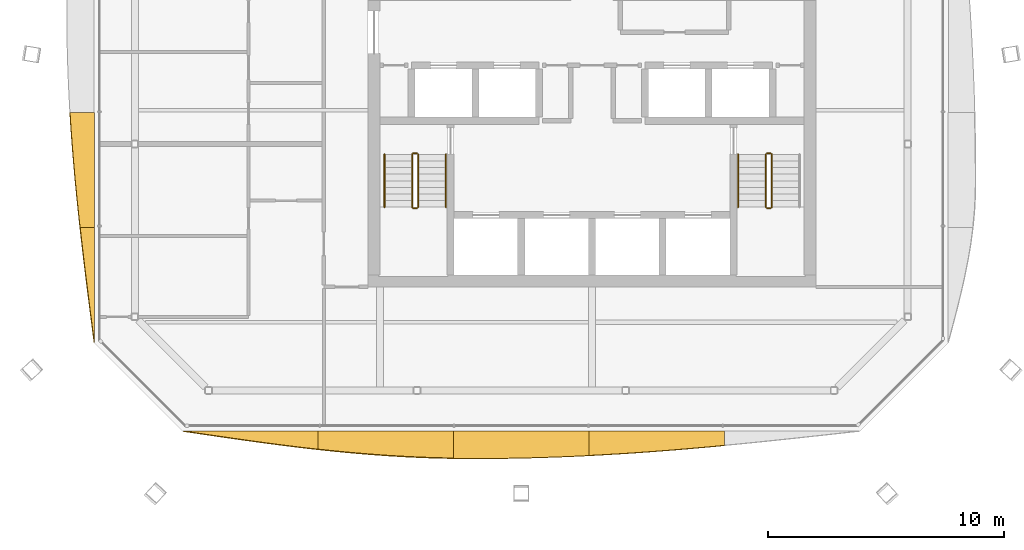
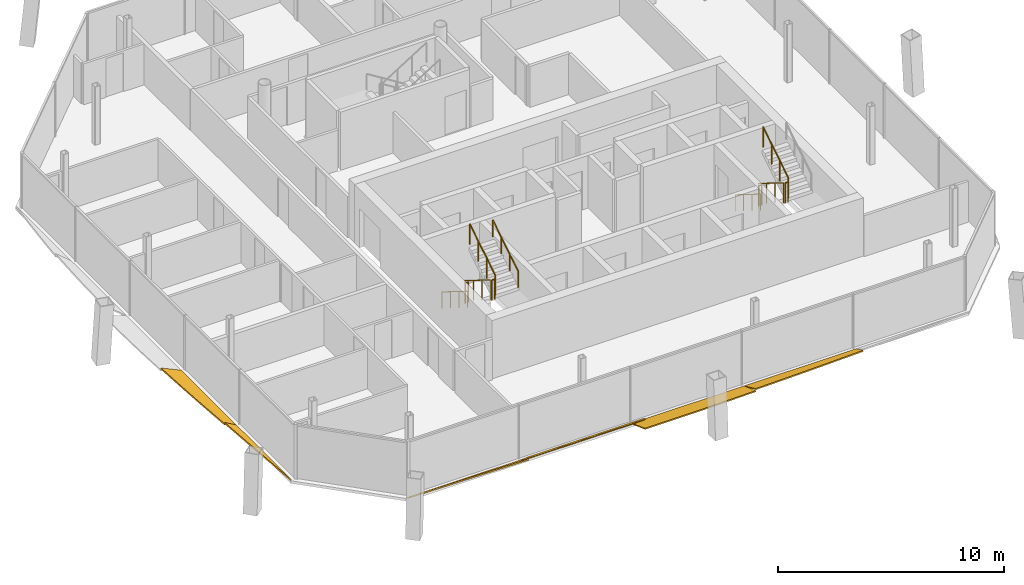
# One storey, part 13 of 15: 11 railings, 6 shading devices.
"""IFC4 building model written with IfcOpenShell, lengths in metres."""

from ifc_helpers import new_model, si_unit, direction, frame, origin, origin_2d, place, context, subcontext, project, spatial, polyline, circle, outline, extrude, material, layer, layer_set, type_object, element, save


model = new_model("IFC4")

# Units and contexts
model_context = context("Model", 3, precision=1e-05, world=origin(), true_north=direction((0.0, 1.0)))
body_context = subcontext(model_context, "Body", "Model", "MODEL_VIEW")
ifc_project = project(units=[si_unit("LENGTHUNIT", "METRE"), si_unit("AREAUNIT", "SQUARE_METRE"), si_unit("VOLUMEUNIT", "CUBIC_METRE"), si_unit("PLANEANGLEUNIT", "RADIAN"), si_unit("MASSUNIT", "GRAM", prefix="KILO")], contexts=[model_context])

# Site, building, storey
site_placement = place(None, origin())
site = spatial("IfcSite", under=ifc_project, at=site_placement, CompositionType="ELEMENT")
building_placement = place(site_placement, origin())
building = spatial("IfcBuilding", under=site, at=building_placement, Name="Tskaro Facet Tower", CompositionType="ELEMENT")
storey_placement = place(building_placement, frame((0.0, 0.0, 239.25)))
storey = spatial("IfcBuildingStorey", under=building, at=storey_placement, Name="L62", CompositionType="ELEMENT", Elevation=239.25)

# Shading devices
ifc_material_1 = material(Name="Bronze anodised aluminium 6063-T6", Category="aluminium")
ifc_layer = layer(ifc_material_1, 0.06005859375, Name="Bronze anodised aluminium 6063-T6")
ifc_layer_set = layer_set([ifc_layer], Name="Bronze anodised aluminium 6063-T6")
shading_device_type = type_object("IfcShadingDeviceType", Name="Bronze sun blade (FN1)", PredefinedType="USERDEFINED", material=ifc_layer_set)
shading_device_1_placement = place(storey_placement, frame((-17.35693359375, -18.1044921875, 0.049072265625), z_axis=(-7.330527e-06, 0.573565372126, 0.819159791398), x_axis=(0.999999999973, 4.204536e-06, 6.004873e-06)))
element("IfcShadingDevice", 1, at=shading_device_1_placement, inside=storey, type_object=shading_device_type, Name="Fin blade south 1", ObjectType="FIN", PredefinedType="USERDEFINED", context=body_context, shape_type="SweptSolid", body=[
    extrude(outline(polyline([(0.0, 0.0), (5.742675781095704, 0.0), (5.742675781393182, -0.9495770118929701), (5.0249023438584555, -0.8491330964793654), (4.307128906037114, -0.7415088963195453), (3.589111328622774, -0.6277244737891654), (2.87133789022546, -0.5087198202304679), (2.1535644525652846, -0.3853150078356561), (1.4355468753093612, -0.2587300891638384), (0.7177734370677177, -0.12990505555725673), (0.0, 0.0)])), origin(), (0.0, 0.0, -1.0), 0.06005859375),
])
shading_device_2_placement = place(storey_placement, frame((-11.6142578125, -18.100341796875, 0.0458984375), z_axis=(3.851837e-06, 0.64277595076, 0.766054225959), x_axis=(0.999999999993, -2.475868e-06, -2.950716e-06)))
element("IfcShadingDevice", 2, at=shading_device_2_placement, inside=storey, type_object=shading_device_type, Name="Fin blade south 2", ObjectType="FIN", PredefinedType="USERDEFINED", context=body_context, shape_type="SweptSolid", body=[
    extrude(outline(polyline([(0.0, 0.0), (5.742919921832398, 1.2161105968178044e-21), (5.742919921701707, -1.5074741790523976), (5.024902343797633, -1.4870304847645457), (4.307128906113016, -1.4539271773385525), (3.5893554692317786, -1.4085383066894397), (2.871337890367751, -1.3513346559842712), (2.153564453304701, -1.2827203723732254), (1.4357910151405315, -1.2035101917032316), (0.7180175784090119, -1.1141082611244684), (-3.9641458014169853e-10, -1.0151422915263542), (0.0, 0.0)])), origin(), (0.0, 0.0, -1.0), 0.06005859375),
])
shading_device_3_placement = place(storey_placement, frame((-5.871337890625, -18.118408203125, 0.056396484375), z_axis=(-2.582642e-06, 0.341947096312, 0.939719204506), x_axis=(0.999999999997, 8.83127e-07, 2.426958e-06)))
element("IfcShadingDevice", 3, at=shading_device_3_placement, inside=storey, type_object=shading_device_type, Name="Fin blade south 3", ObjectType="FIN", PredefinedType="USERDEFINED", context=body_context, shape_type="SweptSolid", body=[
    extrude(outline(polyline([(0.0, 0.0), (5.742675781230848, 0.0), (5.742675781206472, -1.100256666629426), (5.024902343581034, -1.1360912870000066), (4.307128906120104, -1.1667530524476448), (3.589111328414293, -1.1920125393384273), (2.871337890744165, -1.2114733576828192), (2.1535644530772426, -1.225218990658631), (1.4355468747885254, -1.2332494382658634), (0.8039550785608509, -1.2354187600484134), (0.7177734373436193, -1.2353352768706025), (-9.647995621702294e-11, -1.228848337422472), (0.0, 0.0)])), origin(), (0.0, 0.0, -1.0), 0.06005859375),
])
shading_device_4_placement = place(storey_placement, frame((-0.128662109375, -18.113525390625, 0.054443359375), z_axis=(1.258481e-06, 0.422520787899, 0.906353233453), x_axis=(0.999999999999, -5.31734e-07, -1.140628e-06)))
element("IfcShadingDevice", 4, at=shading_device_4_placement, inside=storey, type_object=shading_device_type, Name="Fin blade south 4", ObjectType="FIN", PredefinedType="USERDEFINED", context=body_context, shape_type="SweptSolid", body=[
    extrude(outline(polyline([(0.0, 0.0), (5.742919921870452, 0.0), (5.742919922014373, -0.6687821362954994), (5.024902343834269, -0.74207027583719), (4.30712890626237, -0.8118628790599594), (3.58935546867368, -0.8781599459638075), (2.8715820311058757, -0.939870056990723), (2.1535644531935914, -0.9974357674304782), (1.4357910155188995, -1.050296398837648), (0.7180175781624033, -1.0979212100996456), (7.197365964849071e-11, -1.1407377878398244), (0.0, 0.0)])), origin(), (0.0, 0.0, -1.0), 0.06005859375),
])
shading_device_5_placement = place(storey_placement, frame((-21.113525390625, -4.593505859375, 0.054443359375), z_axis=(0.422511074844, -2.5750142e-05, 0.906357761025), x_axis=(-1.087972e-05, -0.999999999668, -2.3338841e-05)))
element("IfcShadingDevice", 5, at=shading_device_5_placement, inside=storey, type_object=shading_device_type, Name="Fin blade west 4", ObjectType="FIN", PredefinedType="USERDEFINED", context=body_context, shape_type="SweptSolid", body=[
    extrude(outline(polyline([(0.0, 0.0), (4.881591795256582, 0.0), (4.881591799602233, -0.6625580529281263), (4.184326172431228, -0.745565813007741), (3.48681640506389, -0.8239866173885243), (2.789550778750056, -0.8978204660704758), (2.0920410130110807, -0.9659759398164691), (1.3947753921385786, -1.028128607758264), (0.6972656234867937, -1.0844847741316928), (-2.569103481321421e-09, -1.1340711463320363), (0.0, 0.0)])), origin(), (0.0, 0.0, -1.0), 0.06005859375),
])
shading_device_6_placement = place(storey_placement, frame((-21.10888671875, -9.47509765625, 0.052001953125), z_axis=(0.499855590709, -1.1820922e-05, 0.866108762395), x_axis=(-5.908754e-06, -0.99999999993, -1.0238204e-05)))
element("IfcShadingDevice", 6, at=shading_device_6_placement, inside=storey, type_object=shading_device_type, Name="Fin blade west 5", ObjectType="FIN", PredefinedType="USERDEFINED", context=body_context, shape_type="SweptSolid", body=[
    extrude(outline(polyline([(0.0, 0.0), (4.88183593715892, 0.0), (4.184570312108205, -0.10401937846057185), (3.487060548546496, -0.2073717821393081), (2.7897949208964965, -0.30954488908879113), (2.0922851564639213, -0.40983910674910135), (1.3950195307284674, -0.5074086257819033), (0.6975097649397314, -0.6021314111308631), (-6.628762819250276e-10, -0.693462523070479), (0.0, 0.0)])), origin(), (0.0, 0.0, -1.0), 0.06005859375),
])

# Railings
ifc_material_2 = material(Name="Stainless steel", Category="steel")
railing_type_1 = type_object("IfcRailingType", Name="RL-GUARD-1100", PredefinedType="GUARDRAIL", material=ifc_material_2)
railing_1_placement = place(storey_placement, frame((-7.625, -6.375, 0.175048828125)))
element("IfcRailing", 7, at=railing_1_placement, inside=storey, type_object=railing_type_1, Name="L62 ST-1 stair guard 1", PredefinedType="GUARDRAIL", context=body_context, shape_type="SweptSolid", body=[
    extrude(circle(Radius=0.02392578125, at=origin_2d()), frame((0.0, 0.0, 1.076171875), z_axis=(0.0, -0.848013881152, 0.529974015752), x_axis=(1.0, 0.0, 0.0)), (0.0, 0.0, 1.0), 2.641357421875),
    extrude(circle(Radius=0.02099609375, at=origin_2d()), origin(), (0.0, 0.0, 1.0), 1.052001953125),
    extrude(circle(Radius=0.02099609375, at=origin_2d()), frame((0.0, -0.74658203125, 0.466552734375)), (0.0, 0.0, 1.0), 1.052001953125),
    extrude(circle(Radius=0.02099609375, at=origin_2d()), frame((0.0, -1.493408203125, 0.933349609375)), (0.0, 0.0, 1.0), 1.052001953125),
    extrude(circle(Radius=0.02099609375, at=origin_2d()), frame((0.0, -2.239990234375, 1.39990234375)), (0.0, 0.0, 1.0), 1.052001953125),
])
railing_2_placement = place(storey_placement, frame((-7.574951171875, -8.6650390625, 1.574951171875)))
element("IfcRailing", 8, at=railing_2_placement, inside=storey, type_object=railing_type_1, Name="L62 ST-1 stair guard 2", PredefinedType="GUARDRAIL", context=body_context, shape_type="SweptSolid", body=[
    extrude(circle(Radius=0.02392578125, at=origin_2d()), frame((0.0, 0.0, 1.076171875), z_axis=(1.0, 0.0, 0.0), x_axis=(0.0, 1.0, 0.0)), (0.0, 0.0, 1.0), 0.14990234375),
    extrude(circle(Radius=0.02099609375, at=origin_2d()), origin(), (0.0, 0.0, 1.0), 1.052001953125),
    extrude(circle(Radius=0.02099609375, at=origin_2d()), frame((0.14990234375, 0.0, 0.0)), (0.0, 0.0, 1.0), 1.052001953125),
])
railing_3_placement = place(storey_placement, frame((-7.375, -8.614990234375, 1.75)))
element("IfcRailing", 9, at=railing_3_placement, inside=storey, type_object=railing_type_1, Name="L62 ST-1 stair guard 3", PredefinedType="GUARDRAIL", context=body_context, shape_type="SweptSolid", body=[
    extrude(circle(Radius=0.02392578125, at=origin_2d()), frame((0.0, 0.0, 1.076171875), z_axis=(0.0, 0.848013881152, 0.529974015752), x_axis=(-1.0, 0.0, 0.0)), (0.0, 0.0, 1.0), 2.641357421875),
    extrude(circle(Radius=0.02099609375, at=origin_2d()), origin(), (0.0, 0.0, 1.0), 1.052001953125),
    extrude(circle(Radius=0.02099609375, at=origin_2d()), frame((0.0, 0.74658203125, 0.466552734375)), (0.0, 0.0, 1.0), 1.052001953125),
    extrude(circle(Radius=0.02099609375, at=origin_2d()), frame((0.0, 1.493408203125, 0.933349609375)), (0.0, 0.0, 1.0), 1.052001953125),
    extrude(circle(Radius=0.02099609375, at=origin_2d()), frame((0.0, 2.239990234375, 1.39990234375)), (0.0, 0.0, 1.0), 1.052001953125),
])
railing_4_placement = place(storey_placement, frame((-7.574951171875, -6.324951171875, 0.0)))
element("IfcRailing", 10, at=railing_4_placement, inside=storey, type_object=railing_type_1, Name="L62 ST-1 stair guard 4", PredefinedType="GUARDRAIL", context=body_context, shape_type="SweptSolid", body=[
    extrude(circle(Radius=0.02392578125, at=origin_2d()), frame((0.0, 0.0, 1.076171875), z_axis=(1.0, 0.0, 0.0), x_axis=(0.0, 1.0, 0.0)), (0.0, 0.0, 1.0), 0.14990234375),
    extrude(circle(Radius=0.02099609375, at=origin_2d()), origin(), (0.0, 0.0, 1.0), 1.052001953125),
    extrude(circle(Radius=0.02099609375, at=origin_2d()), frame((0.14990234375, 0.0, 0.0)), (0.0, 0.0, 1.0), 1.052001953125),
])
railing_5_placement = place(storey_placement, frame((7.375, -6.375, 0.175048828125)))
element("IfcRailing", 11, at=railing_5_placement, inside=storey, type_object=railing_type_1, Name="L62 ST-2 stair guard 1", PredefinedType="GUARDRAIL", context=body_context, shape_type="SweptSolid", body=[
    extrude(circle(Radius=0.02392578125, at=origin_2d()), frame((0.0, 0.0, 1.076171875), z_axis=(0.0, -0.848013881152, 0.529974015752), x_axis=(1.0, 0.0, 0.0)), (0.0, 0.0, 1.0), 2.641357421875),
    extrude(circle(Radius=0.02099609375, at=origin_2d()), origin(), (0.0, 0.0, 1.0), 1.052001953125),
    extrude(circle(Radius=0.02099609375, at=origin_2d()), frame((0.0, -0.74658203125, 0.466552734375)), (0.0, 0.0, 1.0), 1.052001953125),
    extrude(circle(Radius=0.02099609375, at=origin_2d()), frame((0.0, -1.493408203125, 0.933349609375)), (0.0, 0.0, 1.0), 1.052001953125),
    extrude(circle(Radius=0.02099609375, at=origin_2d()), frame((0.0, -2.239990234375, 1.39990234375)), (0.0, 0.0, 1.0), 1.052001953125),
])
railing_6_placement = place(storey_placement, frame((7.425048828125, -8.6650390625, 1.574951171875)))
element("IfcRailing", 12, at=railing_6_placement, inside=storey, type_object=railing_type_1, Name="L62 ST-2 stair guard 2", PredefinedType="GUARDRAIL", context=body_context, shape_type="SweptSolid", body=[
    extrude(circle(Radius=0.02392578125, at=origin_2d()), frame((0.0, 0.0, 1.076171875), z_axis=(1.0, 0.0, 0.0), x_axis=(0.0, 1.0, 0.0)), (0.0, 0.0, 1.0), 0.14990234375),
    extrude(circle(Radius=0.02099609375, at=origin_2d()), origin(), (0.0, 0.0, 1.0), 1.052001953125),
    extrude(circle(Radius=0.02099609375, at=origin_2d()), frame((0.14990234375, 0.0, 0.0)), (0.0, 0.0, 1.0), 1.052001953125),
])
railing_7_placement = place(storey_placement, frame((7.625, -8.614990234375, 1.75)))
element("IfcRailing", 13, at=railing_7_placement, inside=storey, type_object=railing_type_1, Name="L62 ST-2 stair guard 3", PredefinedType="GUARDRAIL", context=body_context, shape_type="SweptSolid", body=[
    extrude(circle(Radius=0.02392578125, at=origin_2d()), frame((0.0, 0.0, 1.076171875), z_axis=(0.0, 0.848013881152, 0.529974015752), x_axis=(-1.0, 0.0, 0.0)), (0.0, 0.0, 1.0), 2.641357421875),
    extrude(circle(Radius=0.02099609375, at=origin_2d()), origin(), (0.0, 0.0, 1.0), 1.052001953125),
    extrude(circle(Radius=0.02099609375, at=origin_2d()), frame((0.0, 0.74658203125, 0.466552734375)), (0.0, 0.0, 1.0), 1.052001953125),
    extrude(circle(Radius=0.02099609375, at=origin_2d()), frame((0.0, 1.493408203125, 0.933349609375)), (0.0, 0.0, 1.0), 1.052001953125),
    extrude(circle(Radius=0.02099609375, at=origin_2d()), frame((0.0, 2.239990234375, 1.39990234375)), (0.0, 0.0, 1.0), 1.052001953125),
])
railing_8_placement = place(storey_placement, frame((7.425048828125, -6.324951171875, 0.0)))
element("IfcRailing", 14, at=railing_8_placement, inside=storey, type_object=railing_type_1, Name="L62 ST-2 stair guard 4", PredefinedType="GUARDRAIL", context=body_context, shape_type="SweptSolid", body=[
    extrude(circle(Radius=0.02392578125, at=origin_2d()), frame((0.0, 0.0, 1.076171875), z_axis=(1.0, 0.0, 0.0), x_axis=(0.0, 1.0, 0.0)), (0.0, 0.0, 1.0), 0.14990234375),
    extrude(circle(Radius=0.02099609375, at=origin_2d()), origin(), (0.0, 0.0, 1.0), 1.052001953125),
    extrude(circle(Radius=0.02099609375, at=origin_2d()), frame((0.14990234375, 0.0, 0.0)), (0.0, 0.0, 1.0), 1.052001953125),
])
railing_type_2 = type_object("IfcRailingType", Name="RL-HANDRAIL-900", PredefinedType="HANDRAIL", material=ifc_material_2)
railing_9_placement = place(storey_placement, frame((-8.800048828125, -6.375, 0.175048828125)))
element("IfcRailing", 15, at=railing_9_placement, inside=storey, type_object=railing_type_2, Name="L62 ST-1 stair handrail 1", PredefinedType="HANDRAIL", context=body_context, shape_type="SweptSolid", body=[
    extrude(circle(Radius=0.02392578125, at=origin_2d()), frame((0.0, 0.0, 0.8759765625), z_axis=(0.0, -0.848013881152, 0.529974015752), x_axis=(1.0, 0.0, 0.0)), (0.0, 0.0, 1.0), 2.641357421875),
    extrude(circle(Radius=0.02099609375, at=origin_2d()), origin(), (0.0, 0.0, 1.0), 0.851806640625),
    extrude(circle(Radius=0.02099609375, at=origin_2d()), frame((0.0, -0.74658203125, 0.466552734375)), (0.0, 0.0, 1.0), 0.851806640625),
    extrude(circle(Radius=0.02099609375, at=origin_2d()), frame((0.0, -1.493408203125, 0.933349609375)), (0.0, 0.0, 1.0), 0.851806640625),
    extrude(circle(Radius=0.02099609375, at=origin_2d()), frame((0.0, -2.239990234375, 1.39990234375)), (0.0, 0.0, 1.0), 0.851806640625),
])
railing_10_placement = place(storey_placement, frame((-6.199951171875, -8.614990234375, 1.75)))
element("IfcRailing", 16, at=railing_10_placement, inside=storey, type_object=railing_type_2, Name="L62 ST-1 stair handrail 2", PredefinedType="HANDRAIL", context=body_context, shape_type="SweptSolid", body=[
    extrude(circle(Radius=0.02392578125, at=origin_2d()), frame((0.0, 0.0, 0.8759765625), z_axis=(0.0, 0.848013881152, 0.529974015752), x_axis=(-1.0, 0.0, 0.0)), (0.0, 0.0, 1.0), 2.641357421875),
    extrude(circle(Radius=0.02099609375, at=origin_2d()), origin(), (0.0, 0.0, 1.0), 0.851806640625),
    extrude(circle(Radius=0.02099609375, at=origin_2d()), frame((0.0, 0.74658203125, 0.466552734375)), (0.0, 0.0, 1.0), 0.851806640625),
    extrude(circle(Radius=0.02099609375, at=origin_2d()), frame((0.0, 1.493408203125, 0.933349609375)), (0.0, 0.0, 1.0), 0.851806640625),
    extrude(circle(Radius=0.02099609375, at=origin_2d()), frame((0.0, 2.239990234375, 1.39990234375)), (0.0, 0.0, 1.0), 0.851806640625),
])
railing_11_placement = place(storey_placement, frame((6.199951171875, -6.375, 0.175048828125)))
element("IfcRailing", 17, at=railing_11_placement, inside=storey, type_object=railing_type_2, Name="L62 ST-2 stair handrail 1", PredefinedType="HANDRAIL", context=body_context, shape_type="SweptSolid", body=[
    extrude(circle(Radius=0.02392578125, at=origin_2d()), frame((0.0, 0.0, 0.8759765625), z_axis=(0.0, -0.848013881152, 0.529974015752), x_axis=(1.0, 0.0, 0.0)), (0.0, 0.0, 1.0), 2.641357421875),
    extrude(circle(Radius=0.02099609375, at=origin_2d()), origin(), (0.0, 0.0, 1.0), 0.851806640625),
    extrude(circle(Radius=0.02099609375, at=origin_2d()), frame((0.0, -0.74658203125, 0.466552734375)), (0.0, 0.0, 1.0), 0.851806640625),
    extrude(circle(Radius=0.02099609375, at=origin_2d()), frame((0.0, -1.493408203125, 0.933349609375)), (0.0, 0.0, 1.0), 0.851806640625),
    extrude(circle(Radius=0.02099609375, at=origin_2d()), frame((0.0, -2.239990234375, 1.39990234375)), (0.0, 0.0, 1.0), 0.851806640625),
])

save(model, "model.ifc")
